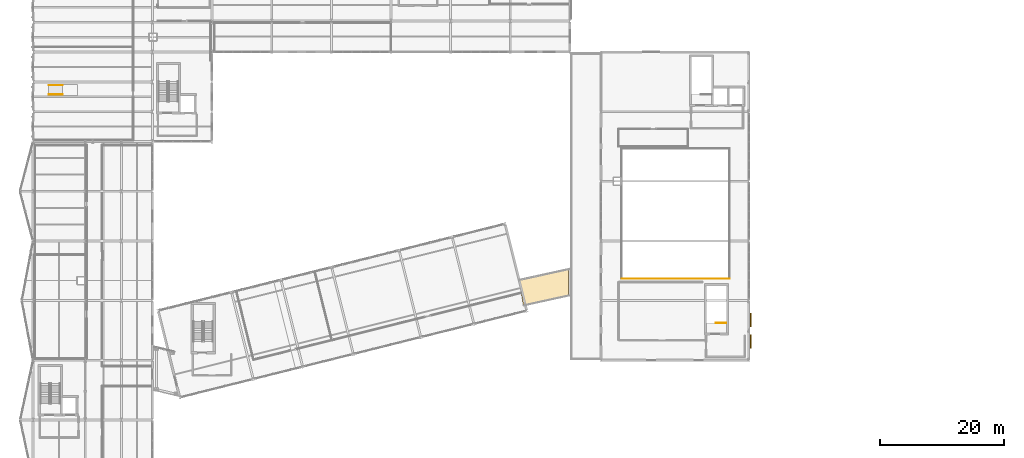
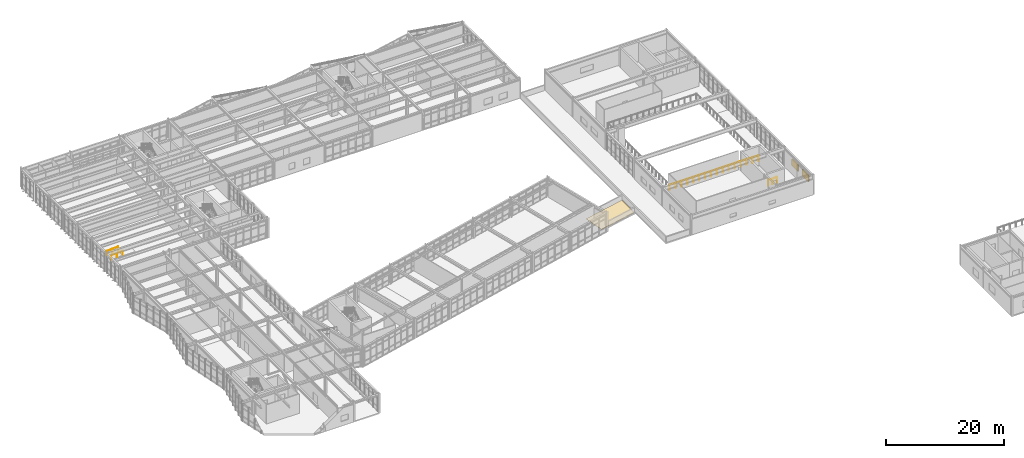
# One storey, part 73 of 76: 4 railings, 2 shading devices, 1 covering.
"""IFC4 building model written with IfcOpenShell, lengths in metres."""

from ifc_helpers import new_model, si_unit, direction, frame, origin, origin_2d, place, context, subcontext, project, spatial, polyline, rectangle, circle, outline, extrude, material, layer, layer_set, type_object, element, save


model = new_model("IFC4")

# Units and contexts
model_context = context("Model", 3, precision=1e-05, world=origin(), true_north=direction((0.0, 1.0)))
body_context = subcontext(model_context, "Body", "Model", "MODEL_VIEW")
ifc_project = project(units=[si_unit("LENGTHUNIT", "METRE"), si_unit("AREAUNIT", "SQUARE_METRE"), si_unit("VOLUMEUNIT", "CUBIC_METRE"), si_unit("PLANEANGLEUNIT", "RADIAN"), si_unit("MASSUNIT", "GRAM", prefix="KILO")], contexts=[model_context])

# Site, building, storey
site_placement = place(None, origin())
site = spatial("IfcSite", under=ifc_project, at=site_placement, CompositionType="ELEMENT")
building_placement = place(site_placement, origin())
building = spatial("IfcBuilding", under=site, at=building_placement, Name="Nordkorset Police Headquarters", CompositionType="ELEMENT")
storey_placement = place(building_placement, frame((0.0, 0.0, 13.64990234375)))
storey = spatial("IfcBuildingStorey", under=building, at=storey_placement, Name="L03", CompositionType="ELEMENT", Elevation=13.64990234375)

# Shading devices
ifc_material_1 = material(Name="Aluminium alloy AW-6060", Category="aluminium")
shading_device_type = type_object("IfcShadingDeviceType", Name="Louvre_Acoustic_Alu", PredefinedType="USERDEFINED", material=ifc_material_1)
for number, where, z_axis, x_axis, name in (
    (1, (115.489990234375, 51.0, 1.30029296875), (0.0, 0.0, 1.0), (1.0, 0.0, 0.0), "Weatherproof Acoustic Plant Louvre 05"),
    (2, (115.489990234375, 54.5, 1.30029296875), (0.0, 0.0, 1.0), (1.0, 0.0, 0.0), "Weatherproof Acoustic Plant Louvre 06"),
):
    element("IfcShadingDevice", number, at=place(storey_placement, frame(where, z_axis=z_axis, x_axis=x_axis)), inside=storey, type_object=shading_device_type, Name=name, ObjectType="ACOUSTIC LOUVRE", PredefinedType="USERDEFINED", context=body_context, shape_type="SweptSolid", body=[
        extrude(rectangle(XDim=0.219970703125, YDim=2.199951171875, at=origin_2d()), origin(), (0.0, 0.0, 1.0), 1.300048828125),
    ])

# Railings
ifc_material_2 = material(Name="Steel S355J2", Category="steel")
ifc_layer_1 = layer(ifc_material_2, 0.048095703125, Name="Steel S355J2")
ifc_layer_set_1 = layer_set([ifc_layer_1], Name="Steel S355J2")
railing_type_1 = type_object("IfcRailingType", Name="Railing_Handrail_900", PredefinedType="HANDRAIL", material=ifc_layer_set_1)
for number, where, name in (
    (3, (2.5, 90.75, 0.0), "Cybercrime Operations Dais Ramp Handrail S"),
    (4, (2.5, 92.25, 0.0), "Cybercrime Operations Dais Ramp Handrail N"),
):
    element("IfcRailing", number, at=place(storey_placement, frame(where)), inside=storey, type_object=railing_type_1, Name=name, PredefinedType="HANDRAIL", context=body_context, shape_type="SweptSolid", body=[
        extrude(circle(Radius=0.02392578125, at=origin_2d()), frame((0.0, 0.0, 0.8759765625), z_axis=(0.998048767235, 0.0, 0.062439236228), x_axis=(0.0, 1.0, 0.0)), (0.0, 0.0, 1.0), 2.244384765625),
        extrude(circle(Radius=0.02099609375, at=origin_2d()), origin(), (0.0, 0.0, 1.0), 0.851806640625),
        extrude(circle(Radius=0.02099609375, at=origin_2d()), frame((1.1201171875, 0.0, 0.070068359375)), (0.0, 0.0, 1.0), 0.851806640625),
        extrude(circle(Radius=0.02099609375, at=origin_2d()), frame((2.239990234375, 0.0, 0.14013671875)), (0.0, 0.0, 1.0), 0.851806640625),
    ])
ifc_material_3 = material(Name="Steel S355J2", Category="steel")
ifc_layer_2 = layer(ifc_material_3, 0.050048828125, Name="Steel S355J2")
ifc_layer_set_2 = layer_set([ifc_layer_2], Name="Steel S355J2")
railing_type_2 = type_object("IfcRailingType", Name="Railing_StairGuard_1200", PredefinedType="GUARDRAIL", material=ifc_layer_set_2)
railing_1_placement = place(storey_placement, frame((111.574951171875, 53.97509765625, 0.0)))
element("IfcRailing", 5, at=railing_1_placement, inside=storey, type_object=railing_type_2, Name="L03 ST-09 top well guard 1", PredefinedType="GUARDRAIL", context=body_context, shape_type="SweptSolid", body=[
    extrude(circle(Radius=0.02392578125, at=origin_2d()), frame((0.0, 0.0, 1.17578125), z_axis=(-1.0, 0.0, 0.0), x_axis=(0.0, -1.0, 0.0)), (0.0, 0.0, 1.0), 1.699951171875),
    extrude(circle(Radius=0.02099609375, at=origin_2d()), origin(), (0.0, 0.0, 1.0), 1.15185546875),
    extrude(circle(Radius=0.02099609375, at=origin_2d()), frame((-0.85009765625, 0.0, 0.0)), (0.0, 0.0, 1.0), 1.15185546875),
    extrude(circle(Radius=0.02099609375, at=origin_2d()), frame((-1.699951171875, 0.0, 0.0)), (0.0, 0.0, 1.0), 1.15185546875),
])
railing_2_placement = place(storey_placement, frame((94.719970703125, 61.1201171875, 0.0)))
element("IfcRailing", 6, at=railing_2_placement, inside=storey, type_object=railing_type_2, Name="Double-Height Void Guardrail L03-1", PredefinedType="GUARDRAIL", context=body_context, shape_type="SweptSolid", body=[
    extrude(circle(Radius=0.02392578125, at=origin_2d()), frame((0.0, 0.0, 1.17578125), z_axis=(1.0, 0.0, 0.0), x_axis=(0.0, 1.0, 0.0)), (0.0, 0.0, 1.0), 17.360107421875),
    extrude(circle(Radius=0.02099609375, at=origin_2d()), origin(), (0.0, 0.0, 1.0), 1.15185546875),
    extrude(circle(Radius=0.02099609375, at=origin_2d()), frame((1.1572265625, 0.0, 0.0)), (0.0, 0.0, 1.0), 1.15185546875),
    extrude(circle(Radius=0.02099609375, at=origin_2d()), frame((2.314697265625, 0.0, 0.0)), (0.0, 0.0, 1.0), 1.15185546875),
    extrude(circle(Radius=0.02099609375, at=origin_2d()), frame((3.471923828125, 0.0, 0.0)), (0.0, 0.0, 1.0), 1.15185546875),
    extrude(circle(Radius=0.02099609375, at=origin_2d()), frame((4.62939453125, 0.0, 0.0)), (0.0, 0.0, 1.0), 1.15185546875),
    extrude(circle(Radius=0.02099609375, at=origin_2d()), frame((5.78662109375, 0.0, 0.0)), (0.0, 0.0, 1.0), 1.15185546875),
    extrude(circle(Radius=0.02099609375, at=origin_2d()), frame((6.944091796875, 0.0, 0.0)), (0.0, 0.0, 1.0), 1.15185546875),
    extrude(circle(Radius=0.02099609375, at=origin_2d()), frame((8.101318359375, 0.0, 0.0)), (0.0, 0.0, 1.0), 1.15185546875),
    extrude(circle(Radius=0.02099609375, at=origin_2d()), frame((9.2587890625, 0.0, 0.0)), (0.0, 0.0, 1.0), 1.15185546875),
    extrude(circle(Radius=0.02099609375, at=origin_2d()), frame((10.416015625, 0.0, 0.0)), (0.0, 0.0, 1.0), 1.15185546875),
    extrude(circle(Radius=0.02099609375, at=origin_2d()), frame((11.573486328125, 0.0, 0.0)), (0.0, 0.0, 1.0), 1.15185546875),
    extrude(circle(Radius=0.02099609375, at=origin_2d()), frame((12.730712890625, 0.0, 0.0)), (0.0, 0.0, 1.0), 1.15185546875),
    extrude(circle(Radius=0.02099609375, at=origin_2d()), frame((13.88818359375, 0.0, 0.0)), (0.0, 0.0, 1.0), 1.15185546875),
    extrude(circle(Radius=0.02099609375, at=origin_2d()), frame((15.04541015625, 0.0, 0.0)), (0.0, 0.0, 1.0), 1.15185546875),
    extrude(circle(Radius=0.02099609375, at=origin_2d()), frame((16.202880859375, 0.0, 0.0)), (0.0, 0.0, 1.0), 1.15185546875),
    extrude(circle(Radius=0.02099609375, at=origin_2d()), frame((17.360107421875, 0.0, 0.0)), (0.0, 0.0, 1.0), 1.15185546875),
])

# Covering
ifc_material_4 = material(Name="Patinated Nordic zinc")
ifc_layer_3 = layer(ifc_material_4, 0.0400390625, Name="Patinated Nordic zinc")
ifc_layer_set_3 = layer_set([ifc_layer_3], Name="Patinated Nordic zinc")
covering_type = type_object("IfcCoveringType", Name="Roofing_StandingSeam_Zinc", PredefinedType="ROOFING", material=ifc_layer_set_3)
covering_placement = place(storey_placement, origin())
element("IfcCovering", 7, at=covering_placement, inside=storey, type_object=covering_type, Name="Patinated Nordic Zinc Roof Covering ROOFCVR-BRGE", PredefinedType="ROOFING", context=body_context, shape_type="SweptSolid", body=[
    extrude(outline(polyline([(78.89990234375, 56.85009765625), (86.199951171875, 58.449951171875), (86.199951171875, 62.64990234375), (78.199951171875, 60.89990234375), (78.89990234375, 56.85009765625)])), origin(), (0.0, 0.0, 1.0), 0.0400390625),
])

save(model, "model.ifc")
